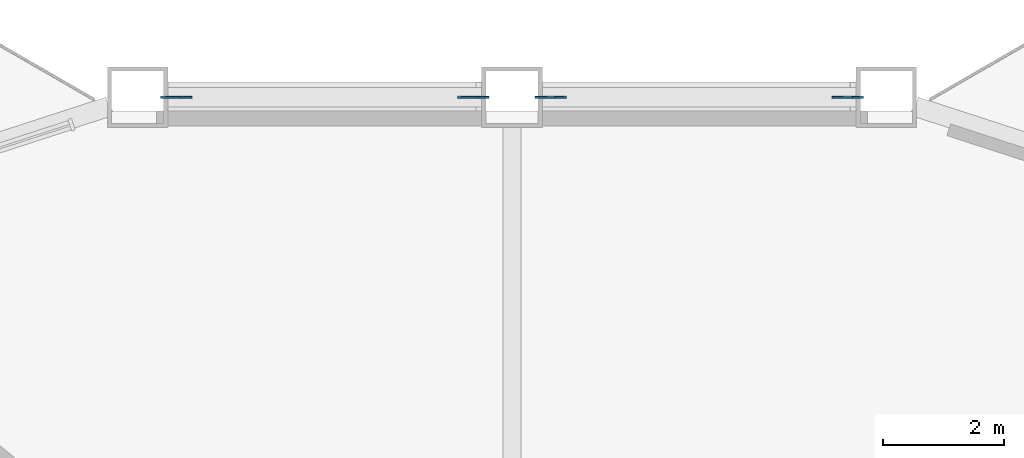
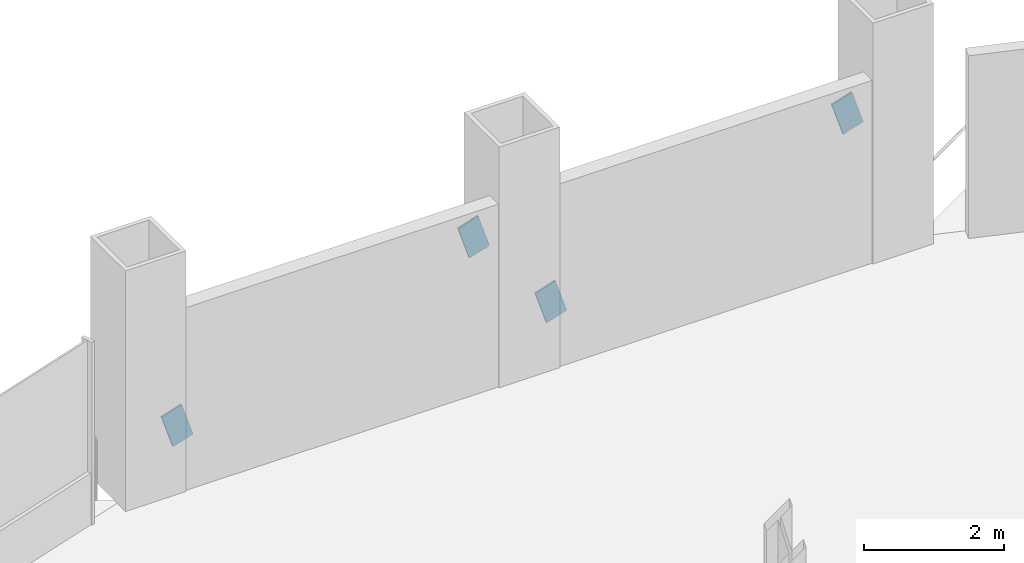
# One storey, part 15 of 20: 4 discrete accessories.
"""IFC4 building model written with IfcOpenShell, lengths in metres."""

from ifc_helpers import new_model, si_unit, direction, frame, origin, origin_2d, place, context, subcontext, project, spatial, rectangle, extrude, material, material_profile, profile_set, type_object, element, save


model = new_model("IFC4")

# Units and contexts
model_context = context("Model", 3, precision=1e-05, world=origin(), true_north=direction((0.0, 1.0)))
body_context = subcontext(model_context, "Body", "Model", "MODEL_VIEW")
ifc_project = project(units=[si_unit("LENGTHUNIT", "METRE"), si_unit("AREAUNIT", "SQUARE_METRE"), si_unit("VOLUMEUNIT", "CUBIC_METRE"), si_unit("PLANEANGLEUNIT", "RADIAN"), si_unit("MASSUNIT", "GRAM", prefix="KILO")], contexts=[model_context])

# Site, building, storey
site_placement = place(None, origin())
site = spatial("IfcSite", under=ifc_project, at=site_placement, CompositionType="ELEMENT")
building_placement = place(site_placement, origin())
building = spatial("IfcBuilding", under=site, at=building_placement, Name="Cormorant Prow Tower", CompositionType="ELEMENT")
storey_placement = place(building_placement, frame((0.0, 0.0, 59.39990234375)))
storey = spatial("IfcBuildingStorey", under=building, at=storey_placement, Name="L12", CompositionType="ELEMENT", Elevation=59.39990234375)

# Discrete accessories
ifc_material = material(Name="Structural steel ASTM A500 Gr C", Category="steel")
ifc_material_profile = material_profile(ifc_material, rectangle(XDim=0.031982421875, YDim=0.60791015625, at=origin_2d()), Name="Gusset plate 32x608")
ifc_profile_set = profile_set([ifc_material_profile], Name="Structural steel ASTM A500 Gr C")
discrete_accessory_type = type_object("IfcDiscreteAccessoryType", Name="Gusset plate 32x608", PredefinedType="BRACKET", material=ifc_profile_set)
for number, where, z_axis, x_axis, name in (
    (1, (0.80419921875, 32.233642578125, 0.859375), (-0.951708617761, 0.0, -0.307002779923), (0.0, -1.0, 0.0), "Gusset plate GP1 L12.N00.g0"),
    (2, (5.365478515625, 32.233642578125, 2.329833984375), (0.951912313317, 0.0, 0.306370605239), (0.0, 1.0, 0.0), "Gusset plate GP1 L12.N00.g1"),
    (3, (-5.365478515625, 32.233642578125, 0.859375), (-0.951708617761, 0.0, -0.307002779923), (0.0, -1.0, 0.0), "Gusset plate GP1 L12.N01.g0"),
    (4, (-0.80419921875, 32.233642578125, 2.329833984375), (0.951912313317, 0.0, 0.306370605239), (0.0, 1.0, 0.0), "Gusset plate GP1 L12.N01.g1"),
):
    element("IfcDiscreteAccessory", number, at=place(storey_placement, frame(where, z_axis=z_axis, x_axis=x_axis)), inside=storey, type_object=discrete_accessory_type, Name=name, PredefinedType="BRACKET", context=body_context, shape_type="SweptSolid", body=[
        extrude(rectangle(XDim=0.031982421875, YDim=0.60791015625, at=origin_2d()), origin(), (0.0, 0.0, 1.0), 0.349853515625),
    ])

save(model, "model.ifc")
